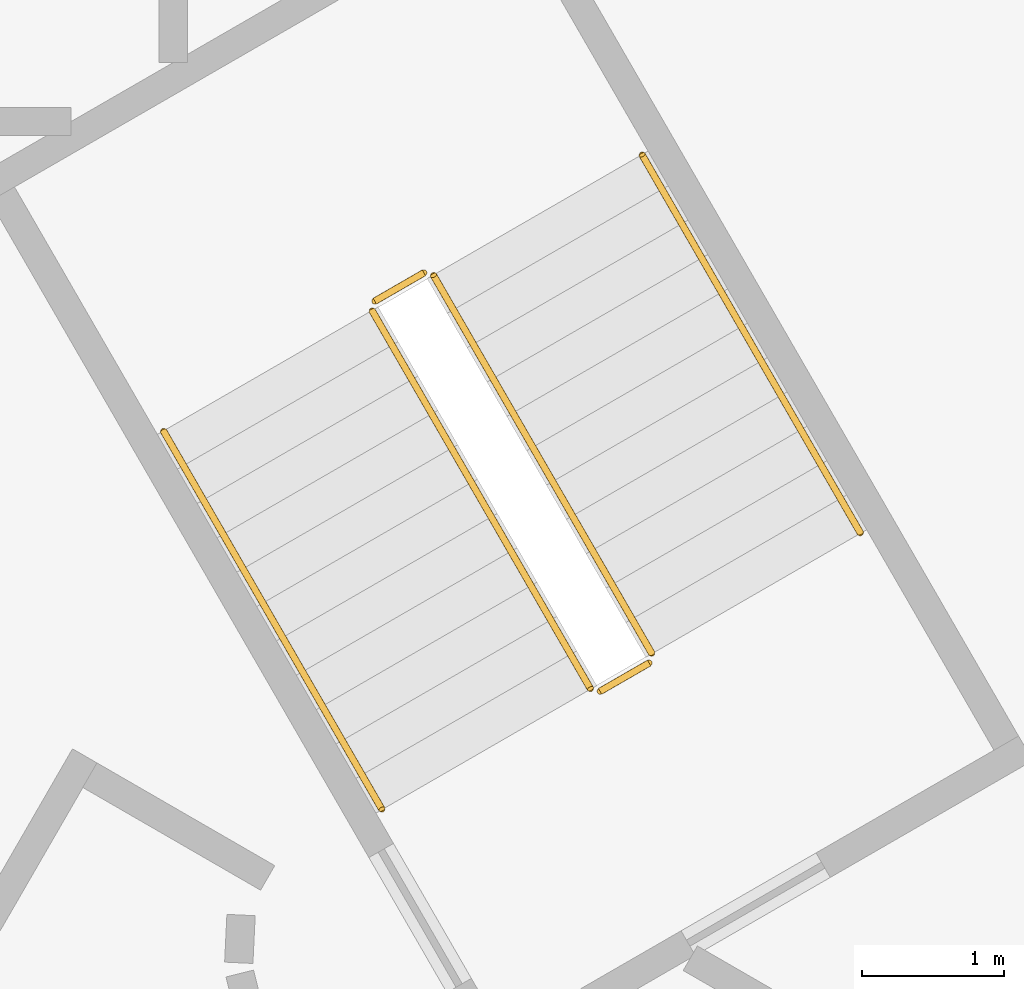
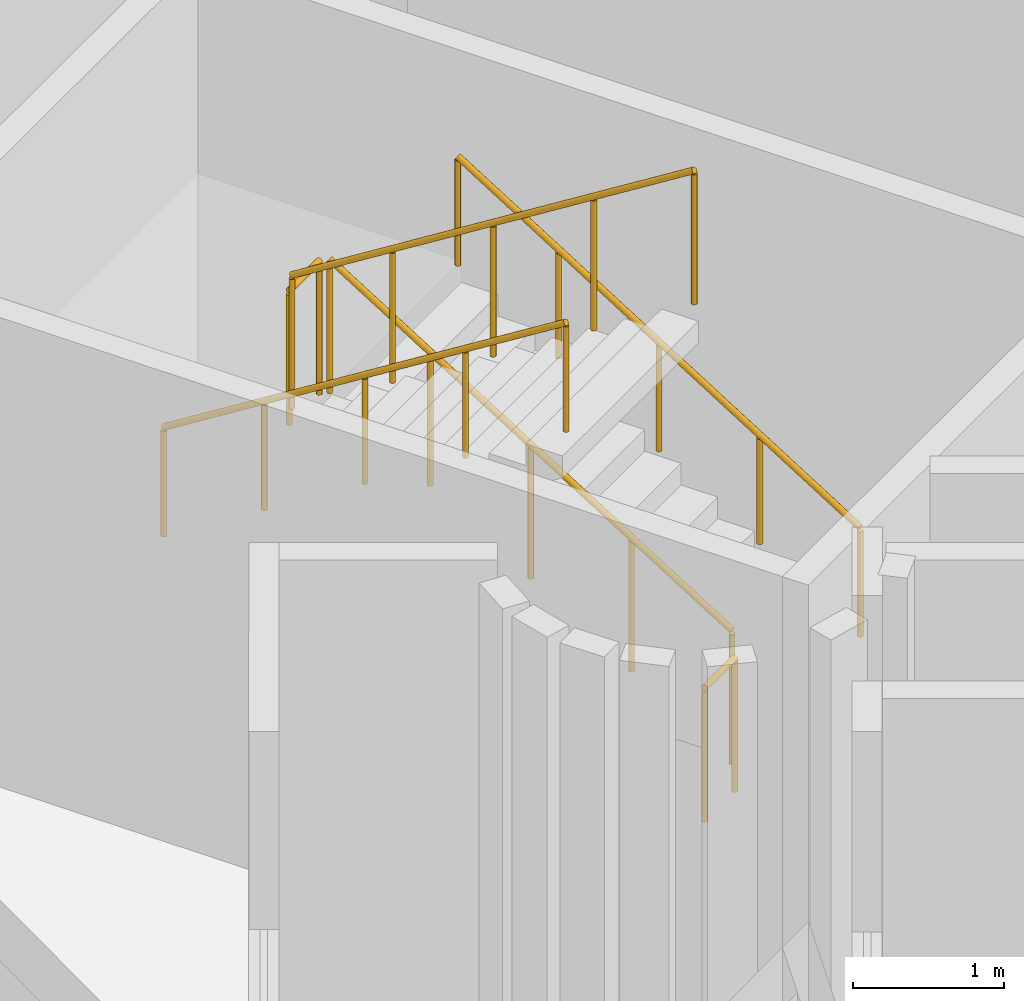
# One storey, part 15 of 16: 6 railings.
"""IFC4 building model written with IfcOpenShell, lengths in metres."""

from ifc_helpers import new_model, si_unit, direction, frame, origin, origin_2d, place, context, subcontext, project, spatial, circle, extrude, material, type_object, element, save


model = new_model("IFC4")

# Units and contexts
model_context = context("Model", 3, precision=1e-05, world=origin(), true_north=direction((0.0, 1.0)))
body_context = subcontext(model_context, "Body", "Model", "MODEL_VIEW")
ifc_project = project(units=[si_unit("LENGTHUNIT", "METRE"), si_unit("AREAUNIT", "SQUARE_METRE"), si_unit("VOLUMEUNIT", "CUBIC_METRE"), si_unit("PLANEANGLEUNIT", "RADIAN"), si_unit("MASSUNIT", "GRAM", prefix="KILO")], contexts=[model_context])

# Site, building, storey
site_placement = place(None, origin())
site = spatial("IfcSite", under=ifc_project, at=site_placement, CompositionType="ELEMENT")
building_placement = place(site_placement, origin())
building = spatial("IfcBuilding", under=site, at=building_placement, Name="Entoto Arch Interchange Tower", CompositionType="ELEMENT")
storey_placement = place(building_placement, frame((0.0, 0.0, 68.60009765625)))
storey = spatial("IfcBuildingStorey", under=building, at=storey_placement, Name="L14", CompositionType="ELEMENT", Elevation=68.60009765625)

# Railings
ifc_material = material(Name="Stainless steel 1.4301", Category="steel")
railing_type_1 = type_object("IfcRailingType", Name="STAIR GUARD 1100 STEEL", PredefinedType="GUARDRAIL", material=ifc_material)
railing_1_placement = place(storey_placement, frame((5.977783203125, 4.046142578125, 0.1748046875)))
element("IfcRailing", 1, at=railing_1_placement, inside=storey, type_object=railing_type_1, Name="L14 ST-NE stair guard 1", PredefinedType="GUARDRAIL", context=body_context, shape_type="SweptSolid", body=[
    extrude(circle(Radius=0.02392578125, at=origin_2d()), frame((0.0, 0.0, 1.076171875), z_axis=(-0.424015404183, 0.734364028329, 0.530019255228), x_axis=(-0.866010015463, -0.500026652407, 0.0)), (0.0, 0.0, 1.0), 3.632080078125),
    extrude(circle(Radius=0.02099609375, at=origin_2d()), origin(), (0.0, 0.0, 1.0), 1.052001953125),
    extrude(circle(Radius=0.02099609375, at=origin_2d()), frame((-0.385009765625, 0.666748046875, 0.481201171875)), (0.0, 0.0, 1.0), 1.052001953125),
    extrude(circle(Radius=0.02099609375, at=origin_2d()), frame((-0.77001953125, 1.33349609375, 0.96240234375)), (0.0, 0.0, 1.0), 1.052001953125),
    extrude(circle(Radius=0.02099609375, at=origin_2d()), frame((-1.155029296875, 2.00048828125, 1.44384765625)), (0.0, 0.0, 1.0), 1.052001953125),
    extrude(circle(Radius=0.02099609375, at=origin_2d()), frame((-1.5400390625, 2.667236328125, 1.925048828125)), (0.0, 0.0, 1.0), 1.052001953125),
])
railing_2_placement = place(storey_placement, frame((4.36962890625, 6.731689453125, 2.099853515625)))
element("IfcRailing", 2, at=railing_2_placement, inside=storey, type_object=railing_type_1, Name="L14 ST-NE stair guard 2", PredefinedType="GUARDRAIL", context=body_context, shape_type="SweptSolid", body=[
    extrude(circle(Radius=0.02392578125, at=origin_2d()), frame((0.0, 0.0, 1.076171875), z_axis=(-0.866094119867, -0.499880961361, 0.0), x_axis=(0.499880961361, -0.866094119867, 0.0)), (0.0, 0.0, 1.0), 0.39990234375),
    extrude(circle(Radius=0.02099609375, at=origin_2d()), origin(), (0.0, 0.0, 1.0), 1.052001953125),
    extrude(circle(Radius=0.02099609375, at=origin_2d()), frame((-0.346435546875, -0.199951171875, 0.0)), (0.0, 0.0, 1.0), 1.052001953125),
])
railing_3_placement = place(storey_placement, frame((4.0048828125, 6.46337890625, 2.27490234375)))
element("IfcRailing", 3, at=railing_3_placement, inside=storey, type_object=railing_type_1, Name="L14 ST-NE stair guard 3", PredefinedType="GUARDRAIL", context=body_context, shape_type="SweptSolid", body=[
    extrude(circle(Radius=0.02392578125, at=origin_2d()), frame((0.0, 0.0, 1.076171875), z_axis=(0.424015404183, -0.734364028329, 0.530019255228), x_axis=(0.866010015463, 0.500026652407, 0.0)), (0.0, 0.0, 1.0), 3.632080078125),
    extrude(circle(Radius=0.02099609375, at=origin_2d()), origin(), (0.0, 0.0, 1.0), 1.052001953125),
    extrude(circle(Radius=0.02099609375, at=origin_2d()), frame((0.385009765625, -0.666748046875, 0.481201171875)), (0.0, 0.0, 1.0), 1.052001953125),
    extrude(circle(Radius=0.02099609375, at=origin_2d()), frame((0.77001953125, -1.33349609375, 0.96240234375)), (0.0, 0.0, 1.0), 1.052001953125),
    extrude(circle(Radius=0.02099609375, at=origin_2d()), frame((1.155029296875, -2.00048828125, 1.44384765625)), (0.0, 0.0, 1.0), 1.052001953125),
    extrude(circle(Radius=0.02099609375, at=origin_2d()), frame((1.5400390625, -2.667236328125, 1.925048828125)), (0.0, 0.0, 1.0), 1.052001953125),
])
railing_4_placement = place(storey_placement, frame((5.95947265625, 3.977783203125, 0.0)))
element("IfcRailing", 4, at=railing_4_placement, inside=storey, type_object=railing_type_1, Name="L14 ST-NE stair guard 4", PredefinedType="GUARDRAIL", context=body_context, shape_type="SweptSolid", body=[
    extrude(circle(Radius=0.02392578125, at=origin_2d()), frame((0.0, 0.0, 1.076171875), z_axis=(-0.866094119867, -0.499880961361, 0.0), x_axis=(0.499880961361, -0.866094119867, 0.0)), (0.0, 0.0, 1.0), 0.39990234375),
    extrude(circle(Radius=0.02099609375, at=origin_2d()), origin(), (0.0, 0.0, 1.0), 1.052001953125),
    extrude(circle(Radius=0.02099609375, at=origin_2d()), frame((-0.346435546875, -0.199951171875, 0.0)), (0.0, 0.0, 1.0), 1.052001953125),
])
railing_type_2 = type_object("IfcRailingType", Name="STAIR HANDRAIL 900 STEEL", PredefinedType="HANDRAIL", material=ifc_material)
railing_5_placement = place(storey_placement, frame((7.4501953125, 4.89599609375, 0.1748046875)))
element("IfcRailing", 5, at=railing_5_placement, inside=storey, type_object=railing_type_2, Name="L14 ST-NE stair handrail 1", PredefinedType="HANDRAIL", context=body_context, shape_type="SweptSolid", body=[
    extrude(circle(Radius=0.02392578125, at=origin_2d()), frame((0.0, 0.0, 0.8759765625), z_axis=(-0.423994474112, 0.734394994316, 0.52999309264), x_axis=(-0.866029832698, -0.499992328818, 0.0)), (0.0, 0.0, 1.0), 3.63232421875),
    extrude(circle(Radius=0.02099609375, at=origin_2d()), origin(), (0.0, 0.0, 1.0), 0.851806640625),
    extrude(circle(Radius=0.02099609375, at=origin_2d()), frame((-0.385009765625, 0.6669921875, 0.481201171875)), (0.0, 0.0, 1.0), 0.851806640625),
    extrude(circle(Radius=0.02099609375, at=origin_2d()), frame((-0.77001953125, 1.333740234375, 0.96240234375)), (0.0, 0.0, 1.0), 0.851806640625),
    extrude(circle(Radius=0.02099609375, at=origin_2d()), frame((-1.155029296875, 2.00048828125, 1.44384765625)), (0.0, 0.0, 1.0), 0.851806640625),
    extrude(circle(Radius=0.02099609375, at=origin_2d()), frame((-1.5400390625, 2.66748046875, 1.925048828125)), (0.0, 0.0, 1.0), 0.851806640625),
])
railing_6_placement = place(storey_placement, frame((2.53271484375, 5.613525390625, 2.27490234375)))
element("IfcRailing", 6, at=railing_6_placement, inside=storey, type_object=railing_type_2, Name="L14 ST-NE stair handrail 2", PredefinedType="HANDRAIL", context=body_context, shape_type="SweptSolid", body=[
    extrude(circle(Radius=0.02392578125, at=origin_2d()), frame((0.0, 0.0, 0.8759765625), z_axis=(0.423939339791, -0.734415923031, 0.53000819633), x_axis=(0.866064153644, 0.499932877268, 0.0)), (0.0, 0.0, 1.0), 3.632080078125),
    extrude(circle(Radius=0.02099609375, at=origin_2d()), origin(), (0.0, 0.0, 1.0), 0.851806640625),
    extrude(circle(Radius=0.02099609375, at=origin_2d()), frame((0.385009765625, -0.6669921875, 0.481201171875)), (0.0, 0.0, 1.0), 0.851806640625),
    extrude(circle(Radius=0.02099609375, at=origin_2d()), frame((0.77001953125, -1.333740234375, 0.96240234375)), (0.0, 0.0, 1.0), 0.851806640625),
    extrude(circle(Radius=0.02099609375, at=origin_2d()), frame((1.15478515625, -2.00048828125, 1.44384765625)), (0.0, 0.0, 1.0), 0.851806640625),
    extrude(circle(Radius=0.02099609375, at=origin_2d()), frame((1.539794921875, -2.66748046875, 1.925048828125)), (0.0, 0.0, 1.0), 0.851806640625),
])

save(model, "model.ifc")
